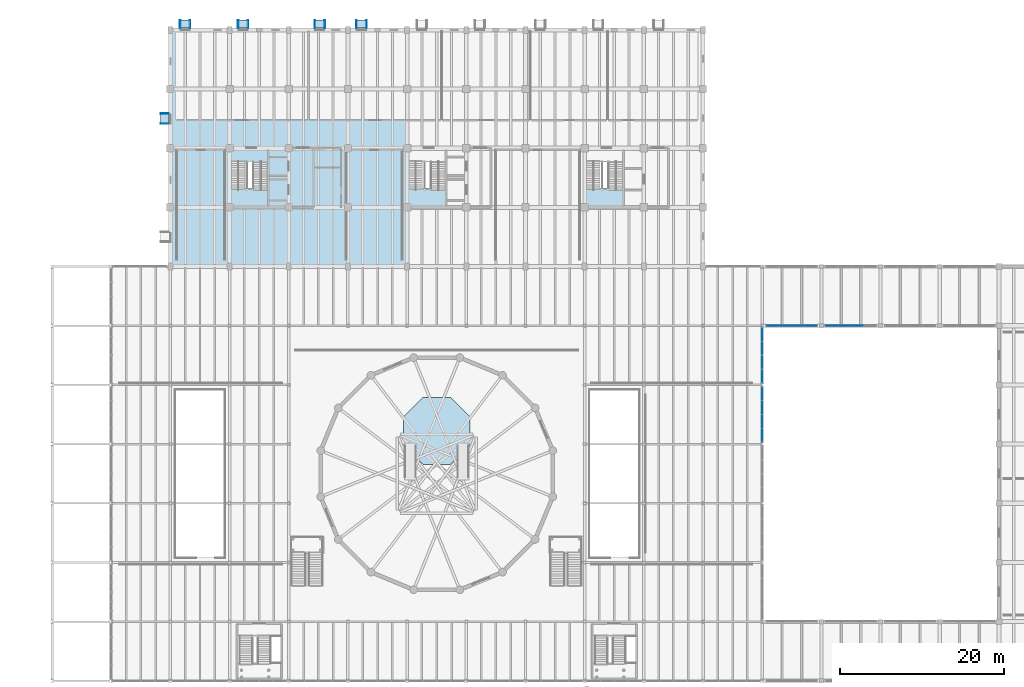
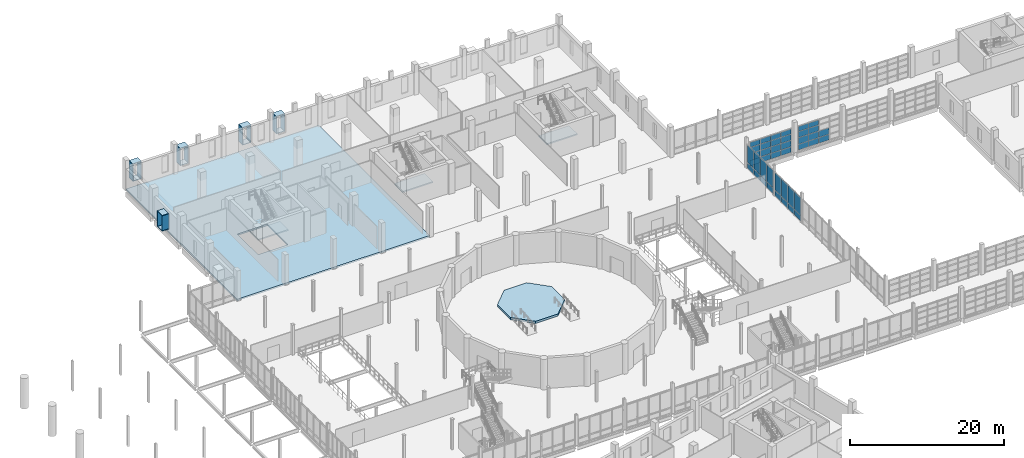
# One storey, part 53 of 77: 62 plates, 5 slabs, 7 elements without a shape of their own.
"""IFC4 building model written with IfcOpenShell, lengths in metres."""

import ifcopenshell
import ifcopenshell.guid

model = None  # the IFC model being written
_history = None  # IfcOwnerHistory: only IFC2X3 demands one
_inside = {}  # id of a spatial element -> (the spatial element, [elements in it])
_under = {}  # id of a project, library or spatial element -> (it, [spatial elements below it])
_declared = {}  # id of a project -> (the project, [libraries it declares])
_typed = {}  # id of a type object -> (the type object, [elements of that type])
_made_of = {}  # id of a material, layer set ... -> (it, [elements and type objects made of it])


def new_model(schema):
    """Start an empty IFC model of exactly this schema.

    Asked for "IFC4X3", IfcOpenShell would pick the latest addendum, in which some entities
    have other attributes; the version numbers below select the first issue.
    IFC2X3 requires an IfcOwnerHistory on every rooted entity: one is made here for all.
    """
    global model, _history
    if schema == "IFC4X3":
        model = ifcopenshell.file(schema_version=(4, 3, 0, 0))
    else:
        model = ifcopenshell.file(schema=schema)
    _inside.clear()
    _under.clear()
    _declared.clear()
    _typed.clear()
    _made_of.clear()
    _history = None
    if model.schema == "IFC2X3":
        org = make("IfcOrganization", Name="unknown")
        user = make(
            "IfcPersonAndOrganization",
            ThePerson=make("IfcPerson", FamilyName="unknown"),
            TheOrganization=org,
        )
        app = make(
            "IfcApplication",
            ApplicationDeveloper=org,
            Version="unknown",
            ApplicationFullName="unknown",
            ApplicationIdentifier="unknown",
        )
        _history = make(
            "IfcOwnerHistory",
            OwningUser=user,
            OwningApplication=app,
            ChangeAction="ADDED",
            CreationDate=0,
        )
    return model


def make(cls, **values):
    """One entity of the class cls with the attributes given. An attribute that is None is left unset."""
    return model.create_entity(
        cls, **{name: value for name, value in values.items() if value is not None}
    )


def rooted(cls, **values):
    """An entity with a GlobalId (a new one), such as an element, a storey or a relation."""
    return make(cls, GlobalId=ifcopenshell.guid.new(), OwnerHistory=_history, **values)


def si_unit(unit_type, name, prefix=None):
    """IfcSIUnit, for example si_unit("LENGTHUNIT", "METRE", prefix="MILLI")."""
    return make("IfcSIUnit", UnitType=unit_type, Prefix=prefix, Name=name)


def assignment(units):
    """IfcUnitAssignment: the units of a project."""
    return None if units is None else make("IfcUnitAssignment", Units=units)


def point(xyz):
    """IfcCartesianPoint."""
    return None if xyz is None else make("IfcCartesianPoint", Coordinates=xyz)


def direction(xyz):
    """IfcDirection."""
    return None if xyz is None else make("IfcDirection", DirectionRatios=xyz)


def frame(location, z_axis=None, x_axis=None):
    """IfcAxis2Placement3D, a coordinate frame: its origin and axes. An axis left out is left unset."""
    return make(
        "IfcAxis2Placement3D",
        Location=point(location),
        Axis=direction(z_axis),
        RefDirection=direction(x_axis),
    )


def frame_2d(location, x_axis=None):
    """IfcAxis2Placement2D, a coordinate frame in the plane: its origin and x axis."""
    return make(
        "IfcAxis2Placement2D", Location=point(location), RefDirection=direction(x_axis)
    )


def origin():
    """The frame at (0, 0, 0) with its axes left unset."""
    return frame((0.0, 0.0, 0.0))


def origin_2d():
    """The frame at (0, 0) in the plane with its x axis left unset."""
    return frame_2d((0.0, 0.0))


def place(relative_to, where):
    """IfcLocalPlacement: puts the frame where relative to a parent placement (None: the world)."""
    return make(
        "IfcLocalPlacement", PlacementRelTo=relative_to, RelativePlacement=where
    )


def context(
    kind, dimensions, precision=None, world=None, true_north=None, identifier=None
):
    """IfcGeometricRepresentationContext, for example the 3D "Model" context."""
    return make(
        "IfcGeometricRepresentationContext",
        ContextIdentifier=identifier,
        ContextType=kind,
        CoordinateSpaceDimension=dimensions,
        Precision=precision,
        WorldCoordinateSystem=world,
        TrueNorth=true_north,
    )


def subcontext(parent, identifier, kind, view, scale=None):
    """IfcGeometricRepresentationSubContext, for example "Body" below "Model"."""
    return make(
        "IfcGeometricRepresentationSubContext",
        ContextIdentifier=identifier,
        ContextType=kind,
        ParentContext=parent,
        TargetScale=scale,
        TargetView=view,
    )


def project(units=None, contexts=None):
    """IfcProject with its units and contexts."""
    return rooted(
        "IfcProject",
        Name="project",
        RepresentationContexts=contexts,
        UnitsInContext=assignment(units),
    )


def spatial(cls, under=None, at=None, **own):
    """A site, building, storey or space (cls), placed at a placement, below another one or the project."""
    s = rooted(cls, ObjectPlacement=at, **own)
    if under is not None:
        _under.setdefault(under.id(), (under, []))[1].append(s)
    return s


def polyline(points):
    """IfcPolyline through the points."""
    return make("IfcPolyline", Points=[point(p) for p in points])


def profile(cls, at=None, kind="AREA", **sizes):
    """A parametric profile (cls). Its sizes go by their IFC names, for example OverallWidth=200.0."""
    return make(cls, ProfileType=kind, Position=at, **sizes)


def rectangle(**sizes):
    """IfcRectangleProfileDef."""
    return profile("IfcRectangleProfileDef", **sizes)


def outline(outer, holes=None, kind="AREA"):
    """IfcArbitraryClosedProfileDef: a profile drawn as a closed curve; with holes, ...WithVoids."""
    if holes is None:
        return make("IfcArbitraryClosedProfileDef", ProfileType=kind, OuterCurve=outer)
    return make(
        "IfcArbitraryProfileDefWithVoids",
        ProfileType=kind,
        OuterCurve=outer,
        InnerCurves=holes,
    )


def extrude(swept, where, along, depth):
    """IfcExtrudedAreaSolid: the profile swept, set in the frame where, extruded along a direction by depth."""
    return make(
        "IfcExtrudedAreaSolid",
        SweptArea=swept,
        Position=where,
        ExtrudedDirection=direction(along),
        Depth=depth,
    )


def shape(context_of_items, identifier, shape_type, items):
    """IfcShapeRepresentation: the items that make up one representation, for example the "Body"."""
    return make(
        "IfcShapeRepresentation",
        ContextOfItems=context_of_items,
        RepresentationIdentifier=identifier,
        RepresentationType=shape_type,
        Items=items,
    )


def material(Name=None, Category=None):
    """IfcMaterial."""
    return make("IfcMaterial", Name=Name, Category=Category)


def layer(
    of_material, thickness, ventilated=None, Name=None, Category=None, Priority=None
):
    """IfcMaterialLayer: one layer of a wall or slab, of a material (None: an air gap)."""
    return make(
        "IfcMaterialLayer",
        Material=of_material,
        LayerThickness=thickness,
        IsVentilated=ventilated,
        Name=Name,
        Category=Category,
        Priority=Priority,
    )


def layer_set(layers, Name=None):
    """IfcMaterialLayerSet."""
    return make("IfcMaterialLayerSet", MaterialLayers=layers, LayerSetName=Name)


def made_of(thing, what):
    """Note that an element or type object is made of a material, layer set ...; save() writes the relation."""
    if what is not None:
        _made_of.setdefault(what.id(), (what, []))[1].append(thing)
    return thing


def type_object(cls, material=None, **own):
    """A type object (cls), such as IfcWallType, which elements share."""
    return made_of(rooted(cls, **own), material)


def element(
    cls,
    number,
    at=None,
    inside=None,
    cuts=None,
    type_object=None,
    material=None,
    context=None,
    identifier="Body",
    shape_type=None,
    held_by="IfcProductDefinitionShape",
    body=None,
    shapes=None,
    **own,
):
    """One element of the class cls, such as IfcWall. Its Tag is "e" and its number.

    at: its placement. inside: the storey or other place that contains it. cuts: it is an
    opening in that element (IfcRelVoidsElement). A single representation is given by context,
    identifier, shape_type and body (its items); several are given by shapes. held_by: the class
    of the entity that holds the representations. save() writes the other relations.
    """
    e = rooted(cls, Tag="e%d" % number, ObjectPlacement=at, **own)
    if body is not None:
        shapes = [shape(context, identifier, shape_type, body)]
    if shapes is not None:
        e.Representation = make(held_by, Representations=shapes)
    if inside is not None:
        _inside.setdefault(inside.id(), (inside, []))[1].append(e)
    if cuts is not None:
        rooted(
            "IfcRelVoidsElement", RelatingBuildingElement=cuts, RelatedOpeningElement=e
        )
    if type_object is not None:
        _typed.setdefault(type_object.id(), (type_object, []))[1].append(e)
    return made_of(e, material)


def aggregate(whole, parts):
    """IfcRelAggregates: a whole, such as a stair, and the parts it consists of."""
    return rooted("IfcRelAggregates", RelatingObject=whole, RelatedObjects=parts)


def save(model, path):
    """Write the relations noted so far, then the file.

    IfcRelAggregates (storeys below a building ...), IfcRelContainedInSpatialStructure (elements
    in a storey), IfcRelDefinesByType, IfcRelAssociatesMaterial and IfcRelDeclares: one each for
    every whole, place, type object, material and project.
    """
    for whole, parts in _under.values():
        aggregate(whole, parts)
    for where, things in _inside.values():
        rooted(
            "IfcRelContainedInSpatialStructure",
            RelatedElements=things,
            RelatingStructure=where,
        )
    for kind, things in _typed.values():
        rooted("IfcRelDefinesByType", RelatedObjects=things, RelatingType=kind)
    for what, things in _made_of.values():
        rooted("IfcRelAssociatesMaterial", RelatedObjects=things, RelatingMaterial=what)
    for by, libraries in _declared.values():
        rooted("IfcRelDeclares", RelatingContext=by, RelatedDefinitions=libraries)
    model.write(path)


model = new_model("IFC4")

# Units and contexts
model_context = context("Model", 3, precision=1e-05, world=origin(), true_north=direction((0.0, 1.0)))
body_context = subcontext(model_context, "Body", "Model", "MODEL_VIEW")
ifc_project = project(units=[si_unit("LENGTHUNIT", "METRE"), si_unit("AREAUNIT", "SQUARE_METRE"), si_unit("VOLUMEUNIT", "CUBIC_METRE"), si_unit("PLANEANGLEUNIT", "RADIAN"), si_unit("MASSUNIT", "GRAM", prefix="KILO")], contexts=[model_context])

# Site, building, storey
site_placement = place(None, origin())
site = spatial("IfcSite", under=ifc_project, at=site_placement, CompositionType="ELEMENT")
building_placement = place(site_placement, origin())
building = spatial("IfcBuilding", under=site, at=building_placement, Name="Qiaolan Assembly House", CompositionType="ELEMENT")
storey_placement = place(building_placement, frame((0.0, 0.0, 5.39990234375)))
storey = spatial("IfcBuildingStorey", under=building, at=storey_placement, Name="L01", CompositionType="ELEMENT", Elevation=5.39990234375)

# Curtain wall, plates
ifc_material_1 = material(Name="Anodised bronze aluminium", Category="aluminium")
curtain_wall_type_1 = type_object("IfcCurtainWallType", Name="CW-CLOISTER-420", PredefinedType="NOTDEFINED", material=ifc_material_1)
curtain_wall_1_placement = place(storey_placement, origin())
curtain_wall_1 = element("IfcCurtainWall", 1, at=curtain_wall_1_placement, inside=storey, type_object=curtain_wall_type_1, Name="CW-05 North Cloister court arcade L01-1", PredefinedType="NOTDEFINED")
ifc_material_2 = material(Name="Low-E double insulating glass", Category="glass")
ifc_layer_1 = layer(ifc_material_2, 0.02587890625)
ifc_layer_set_1 = layer_set([ifc_layer_1], Name="Low-E double insulating glass")
plate_type_1 = type_object("IfcPlateType", Name="CW-CLOISTER-420-PNL", PredefinedType="CURTAIN_PANEL", material=ifc_layer_set_1)
plate_1_placement = place(storey_placement, frame((108.547119140625, 79.199951171875, 0.052978515625), z_axis=(0.0, 0.0, 1.0), x_axis=(1.0, 0.0, 0.0)))
plate_1 = element("IfcPlate", 2, at=plate_1_placement, type_object=plate_type_1, Name="GL-06 glazing panel CW-CLN-CRT-L01-0-1", PredefinedType="CURTAIN_PANEL", context=body_context, shape_type="SweptSolid", body=[
    extrude(rectangle(XDim=1.48583984375, YDim=0.02587890625, at=frame_2d((0.742919921875, 0.0))), origin(), (0.0, 0.0, 1.0), 0.8740234375),
])
plate_2_placement = place(storey_placement, frame((108.547119140625, 79.199951171875, 0.97314453125), z_axis=(0.0, 0.0, 1.0), x_axis=(1.0, 0.0, 0.0)))
plate_2 = element("IfcPlate", 3, at=plate_2_placement, type_object=plate_type_1, Name="GL-06 glazing panel CW-CLN-CRT-L01-0-2", PredefinedType="CURTAIN_PANEL", context=body_context, shape_type="SweptSolid", body=[
    extrude(rectangle(XDim=1.48583984375, YDim=0.02587890625, at=frame_2d((0.742919921875, 0.0))), origin(), (0.0, 0.0, 1.0), 0.990234375),
])
plate_3_placement = place(storey_placement, frame((108.547119140625, 79.199951171875, 2.009521484375), z_axis=(0.0, 0.0, 1.0), x_axis=(1.0, 0.0, 0.0)))
plate_3 = element("IfcPlate", 4, at=plate_3_placement, type_object=plate_type_1, Name="GL-06 glazing panel CW-CLN-CRT-L01-0-3", PredefinedType="CURTAIN_PANEL", context=body_context, shape_type="SweptSolid", body=[
    extrude(rectangle(XDim=1.48583984375, YDim=0.02587890625, at=frame_2d((0.742919921875, 0.0))), origin(), (0.0, 0.0, 1.0), 0.9375),
])
plate_4_placement = place(storey_placement, frame((108.547119140625, 79.199951171875, 2.9931640625), z_axis=(0.0, 0.0, 1.0), x_axis=(1.0, 0.0, 0.0)))
plate_4 = element("IfcPlate", 5, at=plate_4_placement, type_object=plate_type_1, Name="GL-06 glazing panel CW-CLN-CRT-L01-0-4", PredefinedType="CURTAIN_PANEL", context=body_context, shape_type="SweptSolid", body=[
    extrude(rectangle(XDim=1.48583984375, YDim=0.02587890625, at=frame_2d((0.742919921875, 0.0))), origin(), (0.0, 0.0, 1.0), 0.77392578125),
])
plate_5_placement = place(storey_placement, frame((110.0869140625, 79.199951171875, 0.052978515625), z_axis=(0.0, 0.0, 1.0), x_axis=(1.0, 0.0, 0.0)))
plate_5 = element("IfcPlate", 6, at=plate_5_placement, type_object=plate_type_1, Name="GL-06 glazing panel CW-CLN-CRT-L01-0-5", PredefinedType="CURTAIN_PANEL", context=body_context, shape_type="SweptSolid", body=[
    extrude(rectangle(XDim=1.486083984375, YDim=0.02587890625, at=frame_2d((0.7431640625, 0.0))), origin(), (0.0, 0.0, 1.0), 0.8740234375),
])
plate_6_placement = place(storey_placement, frame((110.0869140625, 79.199951171875, 0.97314453125), z_axis=(0.0, 0.0, 1.0), x_axis=(1.0, 0.0, 0.0)))
plate_6 = element("IfcPlate", 7, at=plate_6_placement, type_object=plate_type_1, Name="GL-06 glazing panel CW-CLN-CRT-L01-0-6", PredefinedType="CURTAIN_PANEL", context=body_context, shape_type="SweptSolid", body=[
    extrude(rectangle(XDim=1.486083984375, YDim=0.02587890625, at=frame_2d((0.7431640625, 0.0))), origin(), (0.0, 0.0, 1.0), 0.990234375),
])
plate_7_placement = place(storey_placement, frame((110.0869140625, 79.199951171875, 2.009521484375), z_axis=(0.0, 0.0, 1.0), x_axis=(1.0, 0.0, 0.0)))
plate_7 = element("IfcPlate", 8, at=plate_7_placement, type_object=plate_type_1, Name="GL-06 glazing panel CW-CLN-CRT-L01-0-7", PredefinedType="CURTAIN_PANEL", context=body_context, shape_type="SweptSolid", body=[
    extrude(rectangle(XDim=1.486083984375, YDim=0.02587890625, at=frame_2d((0.7431640625, 0.0))), origin(), (0.0, 0.0, 1.0), 0.9375),
])
plate_8_placement = place(storey_placement, frame((110.0869140625, 79.199951171875, 2.9931640625), z_axis=(0.0, 0.0, 1.0), x_axis=(1.0, 0.0, 0.0)))
plate_8 = element("IfcPlate", 9, at=plate_8_placement, type_object=plate_type_1, Name="GL-06 glazing panel CW-CLN-CRT-L01-0-8", PredefinedType="CURTAIN_PANEL", context=body_context, shape_type="SweptSolid", body=[
    extrude(rectangle(XDim=1.486083984375, YDim=0.02587890625, at=frame_2d((0.7431640625, 0.0))), origin(), (0.0, 0.0, 1.0), 0.77392578125),
])
plate_9_placement = place(storey_placement, frame((111.626953125, 79.199951171875, 0.052978515625), z_axis=(0.0, 0.0, 1.0), x_axis=(1.0, 0.0, 0.0)))
plate_9 = element("IfcPlate", 10, at=plate_9_placement, type_object=plate_type_1, Name="GL-06 glazing panel CW-CLN-CRT-L01-0-9", PredefinedType="CURTAIN_PANEL", context=body_context, shape_type="SweptSolid", body=[
    extrude(rectangle(XDim=1.486083984375, YDim=0.02587890625, at=frame_2d((0.7431640625, 0.0))), origin(), (0.0, 0.0, 1.0), 0.8740234375),
])
plate_10_placement = place(storey_placement, frame((111.626953125, 79.199951171875, 0.97314453125), z_axis=(0.0, 0.0, 1.0), x_axis=(1.0, 0.0, 0.0)))
plate_10 = element("IfcPlate", 11, at=plate_10_placement, type_object=plate_type_1, Name="GL-06 glazing panel CW-CLN-CRT-L01-0-10", PredefinedType="CURTAIN_PANEL", context=body_context, shape_type="SweptSolid", body=[
    extrude(rectangle(XDim=1.486083984375, YDim=0.02587890625, at=frame_2d((0.7431640625, 0.0))), origin(), (0.0, 0.0, 1.0), 0.990234375),
])
plate_11_placement = place(storey_placement, frame((111.626953125, 79.199951171875, 2.009521484375), z_axis=(0.0, 0.0, 1.0), x_axis=(1.0, 0.0, 0.0)))
plate_11 = element("IfcPlate", 12, at=plate_11_placement, type_object=plate_type_1, Name="GL-06 glazing panel CW-CLN-CRT-L01-0-11", PredefinedType="CURTAIN_PANEL", context=body_context, shape_type="SweptSolid", body=[
    extrude(rectangle(XDim=1.486083984375, YDim=0.02587890625, at=frame_2d((0.7431640625, 0.0))), origin(), (0.0, 0.0, 1.0), 0.9375),
])
plate_12_placement = place(storey_placement, frame((111.626953125, 79.199951171875, 2.9931640625), z_axis=(0.0, 0.0, 1.0), x_axis=(1.0, 0.0, 0.0)))
plate_12 = element("IfcPlate", 13, at=plate_12_placement, type_object=plate_type_1, Name="GL-06 glazing panel CW-CLN-CRT-L01-0-12", PredefinedType="CURTAIN_PANEL", context=body_context, shape_type="SweptSolid", body=[
    extrude(rectangle(XDim=1.486083984375, YDim=0.02587890625, at=frame_2d((0.7431640625, 0.0))), origin(), (0.0, 0.0, 1.0), 0.77392578125),
])
plate_13_placement = place(storey_placement, frame((113.1669921875, 79.199951171875, 0.052978515625), z_axis=(0.0, 0.0, 1.0), x_axis=(1.0, 0.0, 0.0)))
plate_13 = element("IfcPlate", 14, at=plate_13_placement, type_object=plate_type_1, Name="GL-06 glazing panel CW-CLN-CRT-L01-0-13", PredefinedType="CURTAIN_PANEL", context=body_context, shape_type="SweptSolid", body=[
    extrude(rectangle(XDim=1.486083984375, YDim=0.02587890625, at=frame_2d((0.7431640625, 0.0))), origin(), (0.0, 0.0, 1.0), 0.8740234375),
])
plate_14_placement = place(storey_placement, frame((113.1669921875, 79.199951171875, 0.97314453125), z_axis=(0.0, 0.0, 1.0), x_axis=(1.0, 0.0, 0.0)))
plate_14 = element("IfcPlate", 15, at=plate_14_placement, type_object=plate_type_1, Name="GL-06 glazing panel CW-CLN-CRT-L01-0-14", PredefinedType="CURTAIN_PANEL", context=body_context, shape_type="SweptSolid", body=[
    extrude(rectangle(XDim=1.486083984375, YDim=0.02587890625, at=frame_2d((0.7431640625, 0.0))), origin(), (0.0, 0.0, 1.0), 0.990234375),
])
plate_15_placement = place(storey_placement, frame((113.1669921875, 79.199951171875, 2.009521484375), z_axis=(0.0, 0.0, 1.0), x_axis=(1.0, 0.0, 0.0)))
plate_15 = element("IfcPlate", 16, at=plate_15_placement, type_object=plate_type_1, Name="GL-06 glazing panel CW-CLN-CRT-L01-0-15", PredefinedType="CURTAIN_PANEL", context=body_context, shape_type="SweptSolid", body=[
    extrude(rectangle(XDim=1.486083984375, YDim=0.02587890625, at=frame_2d((0.7431640625, 0.0))), origin(), (0.0, 0.0, 1.0), 0.9375),
])
plate_16_placement = place(storey_placement, frame((113.1669921875, 79.199951171875, 2.9931640625), z_axis=(0.0, 0.0, 1.0), x_axis=(1.0, 0.0, 0.0)))
plate_16 = element("IfcPlate", 17, at=plate_16_placement, type_object=plate_type_1, Name="GL-06 glazing panel CW-CLN-CRT-L01-0-16", PredefinedType="CURTAIN_PANEL", context=body_context, shape_type="SweptSolid", body=[
    extrude(rectangle(XDim=1.486083984375, YDim=0.02587890625, at=frame_2d((0.7431640625, 0.0))), origin(), (0.0, 0.0, 1.0), 0.77392578125),
])
aggregate(curtain_wall_1, [plate_1, plate_2, plate_3, plate_4, plate_5, plate_6, plate_7, plate_8, plate_9, plate_10, plate_11, plate_12, plate_13, plate_14, plate_15, plate_16])

curtain_wall_2_placement = place(storey_placement, origin())
curtain_wall_2 = element("IfcCurtainWall", 18, at=curtain_wall_2_placement, inside=storey, type_object=curtain_wall_type_1, Name="CW-05 North Cloister court arcade L01-2", PredefinedType="NOTDEFINED")
plate_17_placement = place(storey_placement, frame((115.7470703125, 79.199951171875, 0.052978515625), z_axis=(0.0, 0.0, 1.0), x_axis=(1.0, 0.0, 0.0)))
plate_17 = element("IfcPlate", 19, at=plate_17_placement, type_object=plate_type_1, Name="GL-06 glazing panel CW-CLN-CRT-L01-1-1", PredefinedType="CURTAIN_PANEL", context=body_context, shape_type="SweptSolid", body=[
    extrude(rectangle(XDim=1.48583984375, YDim=0.02587890625, at=frame_2d((0.742919921875, 0.0))), origin(), (0.0, 0.0, 1.0), 0.8740234375),
])
plate_18_placement = place(storey_placement, frame((115.7470703125, 79.199951171875, 0.97314453125), z_axis=(0.0, 0.0, 1.0), x_axis=(1.0, 0.0, 0.0)))
plate_18 = element("IfcPlate", 20, at=plate_18_placement, type_object=plate_type_1, Name="GL-06 glazing panel CW-CLN-CRT-L01-1-2", PredefinedType="CURTAIN_PANEL", context=body_context, shape_type="SweptSolid", body=[
    extrude(rectangle(XDim=1.48583984375, YDim=0.02587890625, at=frame_2d((0.742919921875, 0.0))), origin(), (0.0, 0.0, 1.0), 0.990234375),
])
plate_19_placement = place(storey_placement, frame((115.7470703125, 79.199951171875, 2.009521484375), z_axis=(0.0, 0.0, 1.0), x_axis=(1.0, 0.0, 0.0)))
plate_19 = element("IfcPlate", 21, at=plate_19_placement, type_object=plate_type_1, Name="GL-06 glazing panel CW-CLN-CRT-L01-1-3", PredefinedType="CURTAIN_PANEL", context=body_context, shape_type="SweptSolid", body=[
    extrude(rectangle(XDim=1.48583984375, YDim=0.02587890625, at=frame_2d((0.742919921875, 0.0))), origin(), (0.0, 0.0, 1.0), 0.9375),
])
plate_20_placement = place(storey_placement, frame((115.7470703125, 79.199951171875, 2.9931640625), z_axis=(0.0, 0.0, 1.0), x_axis=(1.0, 0.0, 0.0)))
plate_20 = element("IfcPlate", 22, at=plate_20_placement, type_object=plate_type_1, Name="GL-06 glazing panel CW-CLN-CRT-L01-1-4", PredefinedType="CURTAIN_PANEL", context=body_context, shape_type="SweptSolid", body=[
    extrude(rectangle(XDim=1.48583984375, YDim=0.02587890625, at=frame_2d((0.742919921875, 0.0))), origin(), (0.0, 0.0, 1.0), 0.77392578125),
])
plate_21_placement = place(storey_placement, frame((117.287109375, 79.199951171875, 0.052978515625), z_axis=(0.0, 0.0, 1.0), x_axis=(1.0, 0.0, 0.0)))
plate_21 = element("IfcPlate", 23, at=plate_21_placement, type_object=plate_type_1, Name="GL-06 glazing panel CW-CLN-CRT-L01-1-5", PredefinedType="CURTAIN_PANEL", context=body_context, shape_type="SweptSolid", body=[
    extrude(rectangle(XDim=1.48583984375, YDim=0.02587890625, at=frame_2d((0.742919921875, 0.0))), origin(), (0.0, 0.0, 1.0), 0.8740234375),
])
plate_22_placement = place(storey_placement, frame((117.287109375, 79.199951171875, 0.97314453125), z_axis=(0.0, 0.0, 1.0), x_axis=(1.0, 0.0, 0.0)))
plate_22 = element("IfcPlate", 24, at=plate_22_placement, type_object=plate_type_1, Name="GL-06 glazing panel CW-CLN-CRT-L01-1-6", PredefinedType="CURTAIN_PANEL", context=body_context, shape_type="SweptSolid", body=[
    extrude(rectangle(XDim=1.48583984375, YDim=0.02587890625, at=frame_2d((0.742919921875, 0.0))), origin(), (0.0, 0.0, 1.0), 0.990234375),
])
plate_23_placement = place(storey_placement, frame((117.287109375, 79.199951171875, 2.009521484375), z_axis=(0.0, 0.0, 1.0), x_axis=(1.0, 0.0, 0.0)))
plate_23 = element("IfcPlate", 25, at=plate_23_placement, type_object=plate_type_1, Name="GL-06 glazing panel CW-CLN-CRT-L01-1-7", PredefinedType="CURTAIN_PANEL", context=body_context, shape_type="SweptSolid", body=[
    extrude(rectangle(XDim=1.48583984375, YDim=0.02587890625, at=frame_2d((0.742919921875, 0.0))), origin(), (0.0, 0.0, 1.0), 0.9375),
])
plate_24_placement = place(storey_placement, frame((117.287109375, 79.199951171875, 2.9931640625), z_axis=(0.0, 0.0, 1.0), x_axis=(1.0, 0.0, 0.0)))
plate_24 = element("IfcPlate", 26, at=plate_24_placement, type_object=plate_type_1, Name="GL-06 glazing panel CW-CLN-CRT-L01-1-8", PredefinedType="CURTAIN_PANEL", context=body_context, shape_type="SweptSolid", body=[
    extrude(rectangle(XDim=1.48583984375, YDim=0.02587890625, at=frame_2d((0.742919921875, 0.0))), origin(), (0.0, 0.0, 1.0), 0.77392578125),
])
plate_25_placement = place(storey_placement, frame((118.826904296875, 79.199951171875, 0.052978515625), z_axis=(0.0, 0.0, 1.0), x_axis=(1.0, 0.0, 0.0)))
plate_25 = element("IfcPlate", 27, at=plate_25_placement, type_object=plate_type_1, Name="GL-06 glazing panel CW-CLN-CRT-L01-1-9", PredefinedType="CURTAIN_PANEL", context=body_context, shape_type="SweptSolid", body=[
    extrude(rectangle(XDim=1.486083984375, YDim=0.02587890625, at=frame_2d((0.7431640625, 0.0))), origin(), (0.0, 0.0, 1.0), 0.8740234375),
])
plate_26_placement = place(storey_placement, frame((118.826904296875, 79.199951171875, 0.97314453125), z_axis=(0.0, 0.0, 1.0), x_axis=(1.0, 0.0, 0.0)))
plate_26 = element("IfcPlate", 28, at=plate_26_placement, type_object=plate_type_1, Name="GL-06 glazing panel CW-CLN-CRT-L01-1-10", PredefinedType="CURTAIN_PANEL", context=body_context, shape_type="SweptSolid", body=[
    extrude(rectangle(XDim=1.486083984375, YDim=0.02587890625, at=frame_2d((0.7431640625, 0.0))), origin(), (0.0, 0.0, 1.0), 0.990234375),
])
aggregate(curtain_wall_2, [plate_17, plate_18, plate_19, plate_20, plate_21, plate_22, plate_23, plate_24, plate_25, plate_26])

curtain_wall_type_2 = type_object("IfcCurtainWallType", Name="CW-HALL-UPPER-480", PredefinedType="NOTDEFINED", material=ifc_material_1)
curtain_wall_3_placement = place(storey_placement, origin())
curtain_wall_3 = element("IfcCurtainWall", 29, at=curtain_wall_3_placement, inside=storey, type_object=curtain_wall_type_2, Name="CW-01 Hall East court curtain wall L01-4", PredefinedType="NOTDEFINED")
ifc_layer_2 = layer(ifc_material_2, 0.031982421875)
ifc_layer_set_2 = layer_set([ifc_layer_2], Name="Low-E double insulating glass")
plate_type_2 = type_object("IfcPlateType", Name="CW-HALL-UPPER-480-PNL", PredefinedType="CURTAIN_PANEL", material=ifc_layer_set_2)
plate_27_placement = place(storey_placement, frame((108.0, 71.7451171875, 0.06005859375), z_axis=(0.0, 0.0, 1.0), x_axis=(0.0, -1.0, 0.0)))
plate_27 = element("IfcPlate", 30, at=plate_27_placement, type_object=plate_type_2, Name="GL-02 glazing panel CW-HALL-E-L01-03-1", PredefinedType="CURTAIN_PANEL", context=body_context, shape_type="SweptSolid", body=[
    extrude(rectangle(XDim=1.6201171875, YDim=0.031982421875, at=frame_2d((0.81005859375, 0.0))), origin(), (0.0, 0.0, 1.0), 0.860107421875),
])
plate_28_placement = place(storey_placement, frame((108.0, 71.7451171875, 0.97998046875), z_axis=(0.0, 0.0, 1.0), x_axis=(0.0, -1.0, 0.0)))
plate_28 = element("IfcPlate", 31, at=plate_28_placement, type_object=plate_type_2, Name="GL-02 glazing panel CW-HALL-E-L01-03-2", PredefinedType="CURTAIN_PANEL", context=body_context, shape_type="SweptSolid", body=[
    extrude(rectangle(XDim=1.6201171875, YDim=0.031982421875, at=frame_2d((0.81005859375, 0.0))), origin(), (0.0, 0.0, 1.0), 2.760009765625),
])
plate_29_placement = place(storey_placement, frame((108.0, 70.054931640625, 0.06005859375), z_axis=(0.0, 0.0, 1.0), x_axis=(0.0, -1.0, 0.0)))
plate_29 = element("IfcPlate", 32, at=plate_29_placement, type_object=plate_type_2, Name="GL-02 glazing panel CW-HALL-E-L01-03-3", PredefinedType="CURTAIN_PANEL", context=body_context, shape_type="SweptSolid", body=[
    extrude(rectangle(XDim=1.619873046875, YDim=0.031982421875, at=frame_2d((0.81005859375, 0.0))), origin(), (0.0, 0.0, 1.0), 0.860107421875),
])
plate_30_placement = place(storey_placement, frame((108.0, 70.054931640625, 0.97998046875), z_axis=(0.0, 0.0, 1.0), x_axis=(0.0, -1.0, 0.0)))
plate_30 = element("IfcPlate", 33, at=plate_30_placement, type_object=plate_type_2, Name="GL-02 glazing panel CW-HALL-E-L01-03-4", PredefinedType="CURTAIN_PANEL", context=body_context, shape_type="SweptSolid", body=[
    extrude(rectangle(XDim=1.619873046875, YDim=0.031982421875, at=frame_2d((0.81005859375, 0.0))), origin(), (0.0, 0.0, 1.0), 2.760009765625),
])
plate_31_placement = place(storey_placement, frame((108.0, 68.364990234375, 0.06005859375), z_axis=(0.0, 0.0, 1.0), x_axis=(0.0, -1.0, 0.0)))
plate_31 = element("IfcPlate", 34, at=plate_31_placement, type_object=plate_type_2, Name="GL-02 glazing panel CW-HALL-E-L01-03-5", PredefinedType="CURTAIN_PANEL", context=body_context, shape_type="SweptSolid", body=[
    extrude(rectangle(XDim=1.619873046875, YDim=0.031982421875, at=frame_2d((0.81005859375, 0.0))), origin(), (0.0, 0.0, 1.0), 0.860107421875),
])
plate_32_placement = place(storey_placement, frame((108.0, 68.364990234375, 0.97998046875), z_axis=(0.0, 0.0, 1.0), x_axis=(0.0, -1.0, 0.0)))
plate_32 = element("IfcPlate", 35, at=plate_32_placement, type_object=plate_type_2, Name="GL-02 glazing panel CW-HALL-E-L01-03-6", PredefinedType="CURTAIN_PANEL", context=body_context, shape_type="SweptSolid", body=[
    extrude(rectangle(XDim=1.619873046875, YDim=0.031982421875, at=frame_2d((0.81005859375, 0.0))), origin(), (0.0, 0.0, 1.0), 2.760009765625),
])
plate_33_placement = place(storey_placement, frame((108.0, 66.675048828125, 0.06005859375), z_axis=(0.0, 0.0, 1.0), x_axis=(0.0, -1.0, 0.0)))
plate_33 = element("IfcPlate", 36, at=plate_33_placement, type_object=plate_type_2, Name="GL-02 glazing panel CW-HALL-E-L01-03-7", PredefinedType="CURTAIN_PANEL", context=body_context, shape_type="SweptSolid", body=[
    extrude(rectangle(XDim=1.6201171875, YDim=0.031982421875, at=frame_2d((0.81005859375, 0.0))), origin(), (0.0, 0.0, 1.0), 0.860107421875),
])
plate_34_placement = place(storey_placement, frame((108.0, 66.675048828125, 0.97998046875), z_axis=(0.0, 0.0, 1.0), x_axis=(0.0, -1.0, 0.0)))
plate_34 = element("IfcPlate", 37, at=plate_34_placement, type_object=plate_type_2, Name="GL-02 glazing panel CW-HALL-E-L01-03-8", PredefinedType="CURTAIN_PANEL", context=body_context, shape_type="SweptSolid", body=[
    extrude(rectangle(XDim=1.6201171875, YDim=0.031982421875, at=frame_2d((0.81005859375, 0.0))), origin(), (0.0, 0.0, 1.0), 2.760009765625),
])
aggregate(curtain_wall_3, [plate_27, plate_28, plate_29, plate_30, plate_31, plate_32, plate_33, plate_34])

curtain_wall_4_placement = place(storey_placement, origin())
curtain_wall_4 = element("IfcCurtainWall", 38, at=curtain_wall_4_placement, inside=storey, type_object=curtain_wall_type_2, Name="CW-01 Hall East court curtain wall L01-5", PredefinedType="NOTDEFINED")
plate_35_placement = place(storey_placement, frame((108.0, 78.945068359375, 0.06005859375), z_axis=(0.0, 0.0, 1.0), x_axis=(0.0, -1.0, 0.0)))
plate_35 = element("IfcPlate", 39, at=plate_35_placement, type_object=plate_type_2, Name="GL-02 glazing panel CW-HALL-E-L01-04-1", PredefinedType="CURTAIN_PANEL", context=body_context, shape_type="SweptSolid", body=[
    extrude(rectangle(XDim=1.6201171875, YDim=0.031982421875, at=frame_2d((0.81005859375, 0.0))), origin(), (0.0, 0.0, 1.0), 0.860107421875),
])
plate_36_placement = place(storey_placement, frame((108.0, 78.945068359375, 0.97998046875), z_axis=(0.0, 0.0, 1.0), x_axis=(0.0, -1.0, 0.0)))
plate_36 = element("IfcPlate", 40, at=plate_36_placement, type_object=plate_type_2, Name="GL-02 glazing panel CW-HALL-E-L01-04-2", PredefinedType="CURTAIN_PANEL", context=body_context, shape_type="SweptSolid", body=[
    extrude(rectangle(XDim=1.6201171875, YDim=0.031982421875, at=frame_2d((0.81005859375, 0.0))), origin(), (0.0, 0.0, 1.0), 2.760009765625),
])
plate_37_placement = place(storey_placement, frame((108.0, 77.2548828125, 0.06005859375), z_axis=(0.0, 0.0, 1.0), x_axis=(0.0, -1.0, 0.0)))
plate_37 = element("IfcPlate", 41, at=plate_37_placement, type_object=plate_type_2, Name="GL-02 glazing panel CW-HALL-E-L01-04-3", PredefinedType="CURTAIN_PANEL", context=body_context, shape_type="SweptSolid", body=[
    extrude(rectangle(XDim=1.619873046875, YDim=0.031982421875, at=frame_2d((0.81005859375, 0.0))), origin(), (0.0, 0.0, 1.0), 0.860107421875),
])
plate_38_placement = place(storey_placement, frame((108.0, 77.2548828125, 0.97998046875), z_axis=(0.0, 0.0, 1.0), x_axis=(0.0, -1.0, 0.0)))
plate_38 = element("IfcPlate", 42, at=plate_38_placement, type_object=plate_type_2, Name="GL-02 glazing panel CW-HALL-E-L01-04-4", PredefinedType="CURTAIN_PANEL", context=body_context, shape_type="SweptSolid", body=[
    extrude(rectangle(XDim=1.619873046875, YDim=0.031982421875, at=frame_2d((0.81005859375, 0.0))), origin(), (0.0, 0.0, 1.0), 2.760009765625),
])
plate_39_placement = place(storey_placement, frame((108.0, 75.56494140625, 0.06005859375), z_axis=(0.0, 0.0, 1.0), x_axis=(0.0, -1.0, 0.0)))
plate_39 = element("IfcPlate", 43, at=plate_39_placement, type_object=plate_type_2, Name="GL-02 glazing panel CW-HALL-E-L01-04-5", PredefinedType="CURTAIN_PANEL", context=body_context, shape_type="SweptSolid", body=[
    extrude(rectangle(XDim=1.619873046875, YDim=0.031982421875, at=frame_2d((0.81005859375, 0.0))), origin(), (0.0, 0.0, 1.0), 0.860107421875),
])
plate_40_placement = place(storey_placement, frame((108.0, 75.56494140625, 0.97998046875), z_axis=(0.0, 0.0, 1.0), x_axis=(0.0, -1.0, 0.0)))
plate_40 = element("IfcPlate", 44, at=plate_40_placement, type_object=plate_type_2, Name="GL-02 glazing panel CW-HALL-E-L01-04-6", PredefinedType="CURTAIN_PANEL", context=body_context, shape_type="SweptSolid", body=[
    extrude(rectangle(XDim=1.619873046875, YDim=0.031982421875, at=frame_2d((0.81005859375, 0.0))), origin(), (0.0, 0.0, 1.0), 2.760009765625),
])
plate_41_placement = place(storey_placement, frame((108.0, 73.875, 0.06005859375), z_axis=(0.0, 0.0, 1.0), x_axis=(0.0, -1.0, 0.0)))
plate_41 = element("IfcPlate", 45, at=plate_41_placement, type_object=plate_type_2, Name="GL-02 glazing panel CW-HALL-E-L01-04-7", PredefinedType="CURTAIN_PANEL", context=body_context, shape_type="SweptSolid", body=[
    extrude(rectangle(XDim=1.6201171875, YDim=0.031982421875, at=frame_2d((0.81005859375, 0.0))), origin(), (0.0, 0.0, 1.0), 0.860107421875),
])
plate_42_placement = place(storey_placement, frame((108.0, 73.875, 0.97998046875), z_axis=(0.0, 0.0, 1.0), x_axis=(0.0, -1.0, 0.0)))
plate_42 = element("IfcPlate", 46, at=plate_42_placement, type_object=plate_type_2, Name="GL-02 glazing panel CW-HALL-E-L01-04-8", PredefinedType="CURTAIN_PANEL", context=body_context, shape_type="SweptSolid", body=[
    extrude(rectangle(XDim=1.6201171875, YDim=0.031982421875, at=frame_2d((0.81005859375, 0.0))), origin(), (0.0, 0.0, 1.0), 2.760009765625),
])
aggregate(curtain_wall_4, [plate_35, plate_36, plate_37, plate_38, plate_39, plate_40, plate_41, plate_42])

# Plates
ifc_material_3 = material(Name="Honed pale limestone", Category="masonry")
ifc_layer_3 = layer(ifc_material_3, 0.0849609375)
ifc_layer_set_3 = layer_set([ifc_layer_3], Name="Honed pale limestone")
plate_type_3 = type_object("IfcPlateType", Name="PLT-WINBOX-CHEEK", PredefinedType="SHEET", material=ifc_layer_set_3)
for number, where, z_axis, x_axis, name in (
    (47, (37.20751953125, 115.8974609375, 0.699951171875), (0.0, 0.0, 1.0), (1.0, 0.0, 0.0), "WB-02 projecting window-box left cheek NWN-L01-00-2"),
    (48, (38.392578125, 115.8974609375, 0.699951171875), (0.0, 0.0, 1.0), (1.0, 0.0, 0.0), "WB-02 projecting window-box right cheek NWN-L01-00-2"),
    (49, (44.257568359375, 115.8974609375, 0.699951171875), (0.0, 0.0, 1.0), (1.0, 0.0, 0.0), "WB-02 projecting window-box left cheek NWN-L01-01-2"),
    (50, (45.4423828125, 115.8974609375, 0.699951171875), (0.0, 0.0, 1.0), (1.0, 0.0, 0.0), "WB-02 projecting window-box right cheek NWN-L01-01-2"),
    (51, (53.590576171875, 115.8974609375, 0.699951171875), (0.0, 0.0, 1.0), (1.0, 0.0, 0.0), "WB-02 projecting window-box left cheek NWN-L01-02-2"),
    (52, (54.775390625, 115.8974609375, 0.699951171875), (0.0, 0.0, 1.0), (1.0, 0.0, 0.0), "WB-02 projecting window-box right cheek NWN-L01-02-2"),
    (53, (58.657470703125, 115.8974609375, 0.699951171875), (0.0, 0.0, 1.0), (1.0, 0.0, 0.0), "WB-02 projecting window-box left cheek NWN-L01-03-2"),
    (54, (59.842529296875, 115.8974609375, 0.699951171875), (0.0, 0.0, 1.0), (1.0, 0.0, 0.0), "WB-02 projecting window-box right cheek NWN-L01-03-2"),
):
    element("IfcPlate", number, at=place(storey_placement, frame(where, z_axis=z_axis, x_axis=x_axis)), inside=storey, type_object=plate_type_3, Name=name, PredefinedType="SHEET", context=body_context, shape_type="SweptSolid", body=[
        extrude(rectangle(XDim=0.0849609375, YDim=1.0, at=origin_2d()), origin(), (0.0, 0.0, 1.0), 2.60009765625),
    ])
for number, where, z_axis, x_axis, name in (
    (55, (35.302490234375, 103.8076171875, 0.699951171875), (0.0, 0.0, 1.0), (1.0, 0.0, 0.0), "WB-02 projecting window-box left cheek NWW-L01-02"),
    (56, (35.302490234375, 104.992431640625, 0.699951171875), (0.0, 0.0, 1.0), (1.0, 0.0, 0.0), "WB-02 projecting window-box right cheek NWW-L01-02"),
):
    element("IfcPlate", number, at=place(storey_placement, frame(where, z_axis=z_axis, x_axis=x_axis)), inside=storey, type_object=plate_type_3, Name=name, PredefinedType="SHEET", context=body_context, shape_type="SweptSolid", body=[
        extrude(rectangle(XDim=1.0, YDim=0.0849609375, at=origin_2d()), origin(), (0.0, 0.0, 1.0), 2.35009765625),
    ])
ifc_layer_4 = layer(ifc_material_3, 0.080078125)
ifc_layer_set_4 = layer_set([ifc_layer_4], Name="Honed pale limestone")
plate_type_4 = type_object("IfcPlateType", Name="PLT-WINBOX-SURROUND", PredefinedType="SHEET", material=ifc_layer_set_4)
for number, where, name in (
    (57, (0.0, 0.0, 0.6201171875), "WB-01 projecting limestone window-box sill NWN-L01-00-2"),
    (58, (0.0, 0.0, 3.300048828125), "WB-01 projecting limestone window-box hood NWN-L01-00-2"),
):
    element("IfcPlate", number, at=place(storey_placement, frame(where)), inside=storey, type_object=plate_type_4, Name=name, PredefinedType="SHEET", context=body_context, shape_type="SweptSolid", body=[
        extrude(outline(polyline([(37.1650390625, 115.3974609375), (37.1650390625, 116.3974609375), (38.43505859375, 116.3974609375), (38.43505859375, 115.3974609375), (37.1650390625, 115.3974609375)])), origin(), (0.0, 0.0, 1.0), 0.080078125),
    ])
for number, where, name in (
    (59, (0.0, 0.0, 0.6201171875), "WB-01 projecting limestone window-box sill NWN-L01-01-2"),
    (60, (0.0, 0.0, 3.300048828125), "WB-01 projecting limestone window-box hood NWN-L01-01-2"),
):
    element("IfcPlate", number, at=place(storey_placement, frame(where)), inside=storey, type_object=plate_type_4, Name=name, PredefinedType="SHEET", context=body_context, shape_type="SweptSolid", body=[
        extrude(outline(polyline([(44.215087890625, 115.3974609375), (44.215087890625, 116.3974609375), (45.485107421875, 116.3974609375), (45.485107421875, 115.3974609375), (44.215087890625, 115.3974609375)])), origin(), (0.0, 0.0, 1.0), 0.080078125),
    ])
for number, where, name in (
    (61, (0.0, 0.0, 0.6201171875), "WB-01 projecting limestone window-box sill NWN-L01-02-2"),
    (62, (0.0, 0.0, 3.300048828125), "WB-01 projecting limestone window-box hood NWN-L01-02-2"),
):
    element("IfcPlate", number, at=place(storey_placement, frame(where)), inside=storey, type_object=plate_type_4, Name=name, PredefinedType="SHEET", context=body_context, shape_type="SweptSolid", body=[
        extrude(outline(polyline([(53.548095703125, 115.3974609375), (53.548095703125, 116.3974609375), (54.818115234375, 116.3974609375), (54.818115234375, 115.3974609375), (53.548095703125, 115.3974609375)])), origin(), (0.0, 0.0, 1.0), 0.080078125),
    ])
for number, where, name in (
    (63, (0.0, 0.0, 0.6201171875), "WB-01 projecting limestone window-box sill NWN-L01-03-2"),
    (64, (0.0, 0.0, 3.300048828125), "WB-01 projecting limestone window-box hood NWN-L01-03-2"),
):
    element("IfcPlate", number, at=place(storey_placement, frame(where)), inside=storey, type_object=plate_type_4, Name=name, PredefinedType="SHEET", context=body_context, shape_type="SweptSolid", body=[
        extrude(outline(polyline([(58.614990234375, 115.3974609375), (58.614990234375, 116.3974609375), (59.885009765625, 116.3974609375), (59.885009765625, 115.3974609375), (58.614990234375, 115.3974609375)])), origin(), (0.0, 0.0, 1.0), 0.080078125),
    ])
for number, where, name in (
    (65, (0.0, 0.0, 0.6201171875), "WB-01 projecting limestone window-box sill NWW-L01-02"),
    (66, (0.0, 0.0, 3.050048828125), "WB-01 projecting limestone window-box hood NWW-L01-02"),
):
    element("IfcPlate", number, at=place(storey_placement, frame(where)), inside=storey, type_object=plate_type_4, Name=name, PredefinedType="SHEET", context=body_context, shape_type="SweptSolid", body=[
        extrude(outline(polyline([(34.802490234375, 103.764892578125), (34.802490234375, 105.034912109375), (35.802490234375, 105.034912109375), (35.802490234375, 103.764892578125), (34.802490234375, 103.764892578125)])), origin(), (0.0, 0.0, 1.0), 0.080078125),
    ])

# Slab
ifc_material_4 = material(Name="Concrete C40/50", Category="concrete")
ifc_layer_5 = layer(ifc_material_4, 0.25)
ifc_layer_set_5 = layer_set([ifc_layer_5], Name="Concrete C40/50")
slab_type_1 = type_object("IfcSlabType", Name="SLB-COMM-250", PredefinedType="FLOOR", material=ifc_layer_set_5)
slab_1_placement = place(storey_placement, frame((0.0, 0.0, -0.25)))
element("IfcSlab", 67, at=slab_1_placement, inside=storey, type_object=slab_type_1, Name="FS-01 North-West Wing West Plate L01", PredefinedType="FLOOR", context=body_context, shape_type="SweptSolid", body=[
    extrude(outline(polyline([(36.0, 86.39990234375), (64.800048828125, 86.39990234375), (64.800048828125, 115.199951171875), (36.0, 115.199951171875), (36.0, 86.39990234375)]), holes=[polyline([(43.39990234375, 93.800048828125), (43.39990234375, 99.14990234375), (47.8798828125, 99.14990234375), (47.8798828125, 93.800048828125), (43.39990234375, 93.800048828125)])]), origin(), (0.0, 0.0, 1.0), 0.25),
])

# Stair, slab
stair_type = type_object("IfcStairType", Name="STR-BSMT-480", PredefinedType="HALF_TURN_STAIR", material=ifc_material_4)
stair_1_placement = place(storey_placement, origin())
stair_1 = element("IfcStair", 68, at=stair_1_placement, inside=storey, type_object=stair_type, Name="ST-04 enclosed egress stair CORE-A L01", PredefinedType="HALF_TURN_STAIR")
ifc_layer_6 = layer(ifc_material_4, 0.199951171875)
ifc_layer_set_6 = layer_set([ifc_layer_6], Name="Concrete C40/50")
slab_type_2 = type_object("IfcSlabType", Name="SLB-LANDING-200", PredefinedType="LANDING", material=ifc_layer_set_6)
slab_2_placement = place(storey_placement, frame((0.0, 0.0, 2.2001953125)))
slab_2 = element("IfcSlab", 69, at=slab_2_placement, type_object=slab_type_2, Name="Stair landing LND-CORE-A-L01-HL", PredefinedType="LANDING", context=body_context, shape_type="SweptSolid", body=[
    extrude(outline(polyline([(43.3798828125, 93.780029296875), (43.3798828125, 95.909912109375), (47.919921875, 95.909912109375), (47.919921875, 93.780029296875), (43.3798828125, 93.780029296875)])), origin(), (0.0, 0.0, 1.0), 0.199951171875),
])
aggregate(stair_1, [slab_2])

stair_2_placement = place(storey_placement, origin())
stair_2 = element("IfcStair", 70, at=stair_2_placement, inside=storey, type_object=stair_type, Name="ST-04 enclosed egress stair CORE-B L01", PredefinedType="HALF_TURN_STAIR")
slab_3_placement = place(storey_placement, frame((0.0, 0.0, 2.2001953125)))
slab_3 = element("IfcSlab", 71, at=slab_3_placement, type_object=slab_type_2, Name="Stair landing LND-CORE-B-L01-HL", PredefinedType="LANDING", context=body_context, shape_type="SweptSolid", body=[
    extrude(outline(polyline([(64.97998046875, 93.780029296875), (64.97998046875, 95.909912109375), (69.52001953125, 95.909912109375), (69.52001953125, 93.780029296875), (64.97998046875, 93.780029296875)])), origin(), (0.0, 0.0, 1.0), 0.199951171875),
])
aggregate(stair_2, [slab_3])

stair_3_placement = place(storey_placement, origin())
stair_3 = element("IfcStair", 72, at=stair_3_placement, inside=storey, type_object=stair_type, Name="ST-04 enclosed egress stair CORE-G L01", PredefinedType="HALF_TURN_STAIR")
slab_4_placement = place(storey_placement, frame((0.0, 0.0, 2.2001953125)))
slab_4 = element("IfcSlab", 73, at=slab_4_placement, type_object=slab_type_2, Name="Stair landing LND-CORE-G-L01-HL", PredefinedType="LANDING", context=body_context, shape_type="SweptSolid", body=[
    extrude(outline(polyline([(86.580078125, 93.780029296875), (86.580078125, 95.909912109375), (91.1201171875, 95.909912109375), (91.1201171875, 93.780029296875), (86.580078125, 93.780029296875)])), origin(), (0.0, 0.0, 1.0), 0.199951171875),
])
aggregate(stair_3, [slab_4])

# Slab
ifc_layer_7 = layer(ifc_material_4, 0.360107421875)
ifc_layer_set_7 = layer_set([ifc_layer_7], Name="Concrete C40/50")
slab_type_3 = type_object("IfcSlabType", Name="SLB-ROSTRUM-360", PredefinedType="FLOOR", material=ifc_layer_set_7)
slab_5_placement = place(storey_placement, origin())
element("IfcSlab", 74, at=slab_5_placement, inside=storey, type_object=slab_type_3, Name="FS-11 Council Chamber Speaker Rostrum Dais Slab", PredefinedType="FLOOR", context=body_context, shape_type="SweptSolid", body=[
    extrude(outline(polyline([(72.465087890625, 68.083740234375), (70.083740234375, 70.465087890625), (66.71630859375, 70.465087890625), (64.3349609375, 68.083740234375), (64.3349609375, 64.71630859375), (66.71630859375, 62.3349609375), (70.083740234375, 62.3349609375), (72.465087890625, 64.71630859375), (72.465087890625, 68.083740234375)])), origin(), (0.0, 0.0, 1.0), 0.360107421875),
])

save(model, "model.ifc")
